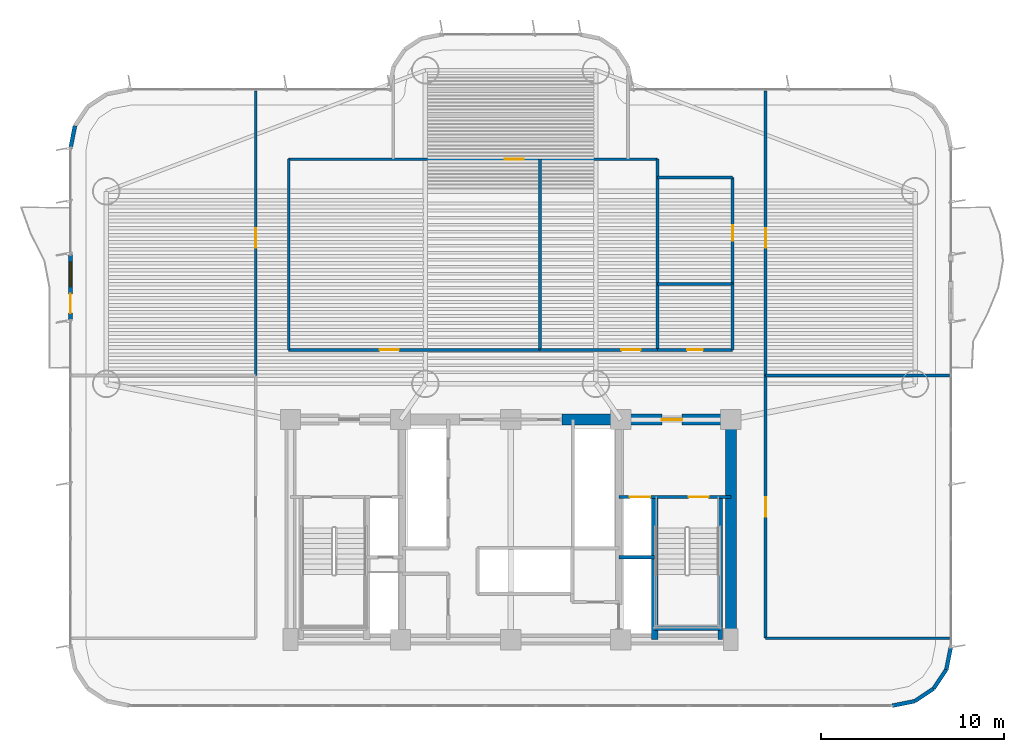
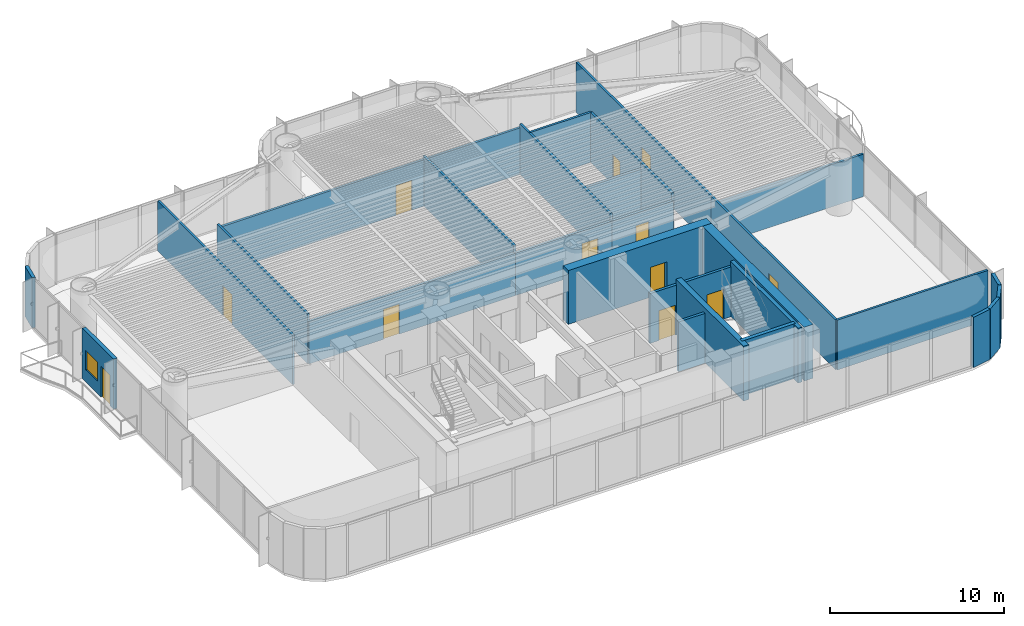
# One storey, part 11 of 16: 29 walls, 12 doors, 1 window, 13 openings.
"""IFC4 building model written with IfcOpenShell, lengths in metres."""

import ifcopenshell
import ifcopenshell.guid

model = None  # the IFC model being written
_history = None  # IfcOwnerHistory: only IFC2X3 demands one
_inside = {}  # id of a spatial element -> (the spatial element, [elements in it])
_under = {}  # id of a project, library or spatial element -> (it, [spatial elements below it])
_declared = {}  # id of a project -> (the project, [libraries it declares])
_typed = {}  # id of a type object -> (the type object, [elements of that type])
_made_of = {}  # id of a material, layer set ... -> (it, [elements and type objects made of it])


def new_model(schema):
    """Start an empty IFC model of exactly this schema.

    Asked for "IFC4X3", IfcOpenShell would pick the latest addendum, in which some entities
    have other attributes; the version numbers below select the first issue.
    IFC2X3 requires an IfcOwnerHistory on every rooted entity: one is made here for all.
    """
    global model, _history
    if schema == "IFC4X3":
        model = ifcopenshell.file(schema_version=(4, 3, 0, 0))
    else:
        model = ifcopenshell.file(schema=schema)
    _inside.clear()
    _under.clear()
    _declared.clear()
    _typed.clear()
    _made_of.clear()
    _history = None
    if model.schema == "IFC2X3":
        org = make("IfcOrganization", Name="unknown")
        user = make(
            "IfcPersonAndOrganization",
            ThePerson=make("IfcPerson", FamilyName="unknown"),
            TheOrganization=org,
        )
        app = make(
            "IfcApplication",
            ApplicationDeveloper=org,
            Version="unknown",
            ApplicationFullName="unknown",
            ApplicationIdentifier="unknown",
        )
        _history = make(
            "IfcOwnerHistory",
            OwningUser=user,
            OwningApplication=app,
            ChangeAction="ADDED",
            CreationDate=0,
        )
    return model


def make(cls, **values):
    """One entity of the class cls with the attributes given. An attribute that is None is left unset."""
    return model.create_entity(
        cls, **{name: value for name, value in values.items() if value is not None}
    )


def rooted(cls, **values):
    """An entity with a GlobalId (a new one), such as an element, a storey or a relation."""
    return make(cls, GlobalId=ifcopenshell.guid.new(), OwnerHistory=_history, **values)


def si_unit(unit_type, name, prefix=None):
    """IfcSIUnit, for example si_unit("LENGTHUNIT", "METRE", prefix="MILLI")."""
    return make("IfcSIUnit", UnitType=unit_type, Prefix=prefix, Name=name)


def assignment(units):
    """IfcUnitAssignment: the units of a project."""
    return None if units is None else make("IfcUnitAssignment", Units=units)


def point(xyz):
    """IfcCartesianPoint."""
    return None if xyz is None else make("IfcCartesianPoint", Coordinates=xyz)


def direction(xyz):
    """IfcDirection."""
    return None if xyz is None else make("IfcDirection", DirectionRatios=xyz)


def frame(location, z_axis=None, x_axis=None):
    """IfcAxis2Placement3D, a coordinate frame: its origin and axes. An axis left out is left unset."""
    return make(
        "IfcAxis2Placement3D",
        Location=point(location),
        Axis=direction(z_axis),
        RefDirection=direction(x_axis),
    )


def frame_2d(location, x_axis=None):
    """IfcAxis2Placement2D, a coordinate frame in the plane: its origin and x axis."""
    return make(
        "IfcAxis2Placement2D", Location=point(location), RefDirection=direction(x_axis)
    )


def origin():
    """The frame at (0, 0, 0) with its axes left unset."""
    return frame((0.0, 0.0, 0.0))


def origin_2d():
    """The frame at (0, 0) in the plane with its x axis left unset."""
    return frame_2d((0.0, 0.0))


def place(relative_to, where):
    """IfcLocalPlacement: puts the frame where relative to a parent placement (None: the world)."""
    return make(
        "IfcLocalPlacement", PlacementRelTo=relative_to, RelativePlacement=where
    )


def context(
    kind, dimensions, precision=None, world=None, true_north=None, identifier=None
):
    """IfcGeometricRepresentationContext, for example the 3D "Model" context."""
    return make(
        "IfcGeometricRepresentationContext",
        ContextIdentifier=identifier,
        ContextType=kind,
        CoordinateSpaceDimension=dimensions,
        Precision=precision,
        WorldCoordinateSystem=world,
        TrueNorth=true_north,
    )


def subcontext(parent, identifier, kind, view, scale=None):
    """IfcGeometricRepresentationSubContext, for example "Body" below "Model"."""
    return make(
        "IfcGeometricRepresentationSubContext",
        ContextIdentifier=identifier,
        ContextType=kind,
        ParentContext=parent,
        TargetScale=scale,
        TargetView=view,
    )


def project(units=None, contexts=None):
    """IfcProject with its units and contexts."""
    return rooted(
        "IfcProject",
        Name="project",
        RepresentationContexts=contexts,
        UnitsInContext=assignment(units),
    )


def spatial(cls, under=None, at=None, **own):
    """A site, building, storey or space (cls), placed at a placement, below another one or the project."""
    s = rooted(cls, ObjectPlacement=at, **own)
    if under is not None:
        _under.setdefault(under.id(), (under, []))[1].append(s)
    return s


def profile(cls, at=None, kind="AREA", **sizes):
    """A parametric profile (cls). Its sizes go by their IFC names, for example OverallWidth=200.0."""
    return make(cls, ProfileType=kind, Position=at, **sizes)


def rectangle(**sizes):
    """IfcRectangleProfileDef."""
    return profile("IfcRectangleProfileDef", **sizes)


def extrude(swept, where, along, depth):
    """IfcExtrudedAreaSolid: the profile swept, set in the frame where, extruded along a direction by depth."""
    return make(
        "IfcExtrudedAreaSolid",
        SweptArea=swept,
        Position=where,
        ExtrudedDirection=direction(along),
        Depth=depth,
    )


def shape(context_of_items, identifier, shape_type, items):
    """IfcShapeRepresentation: the items that make up one representation, for example the "Body"."""
    return make(
        "IfcShapeRepresentation",
        ContextOfItems=context_of_items,
        RepresentationIdentifier=identifier,
        RepresentationType=shape_type,
        Items=items,
    )


def source(mapping_origin, context_of_items, identifier, shape_type, items):
    """IfcRepresentationMap: a shape defined once, which mapped items show again and again."""
    return make(
        "IfcRepresentationMap",
        MappingOrigin=mapping_origin,
        MappedRepresentation=shape(context_of_items, identifier, shape_type, items),
    )


def transform(
    local_origin,
    x_axis=None,
    y_axis=None,
    z_axis=None,
    scale=None,
    scale2=None,
    scale3=None,
    uniform=True,
):
    """IfcCartesianTransformationOperator3D, or its non-uniform kind. x_axis, y_axis, z_axis: its Axis1, 2, 3."""
    if uniform:
        return make(
            "IfcCartesianTransformationOperator3D",
            Axis1=direction(x_axis),
            Axis2=direction(y_axis),
            LocalOrigin=point(local_origin),
            Scale=scale,
            Axis3=direction(z_axis),
        )
    return make(
        "IfcCartesianTransformationOperator3DnonUniform",
        Axis1=direction(x_axis),
        Axis2=direction(y_axis),
        LocalOrigin=point(local_origin),
        Scale=scale,
        Axis3=direction(z_axis),
        Scale2=scale2,
        Scale3=scale3,
    )


def mapped(mapping_source, mapping_target):
    """IfcMappedItem: shows the shape of a source again, moved by a transform."""
    return make(
        "IfcMappedItem", MappingSource=mapping_source, MappingTarget=mapping_target
    )


def material(Name=None, Category=None):
    """IfcMaterial."""
    return make("IfcMaterial", Name=Name, Category=Category)


def layer(
    of_material, thickness, ventilated=None, Name=None, Category=None, Priority=None
):
    """IfcMaterialLayer: one layer of a wall or slab, of a material (None: an air gap)."""
    return make(
        "IfcMaterialLayer",
        Material=of_material,
        LayerThickness=thickness,
        IsVentilated=ventilated,
        Name=Name,
        Category=Category,
        Priority=Priority,
    )


def layer_set(layers, Name=None):
    """IfcMaterialLayerSet."""
    return make("IfcMaterialLayerSet", MaterialLayers=layers, LayerSetName=Name)


def made_of(thing, what):
    """Note that an element or type object is made of a material, layer set ...; save() writes the relation."""
    if what is not None:
        _made_of.setdefault(what.id(), (what, []))[1].append(thing)
    return thing


def type_object(cls, material=None, **own):
    """A type object (cls), such as IfcWallType, which elements share."""
    return made_of(rooted(cls, **own), material)


def element(
    cls,
    number,
    at=None,
    inside=None,
    cuts=None,
    type_object=None,
    material=None,
    context=None,
    identifier="Body",
    shape_type=None,
    held_by="IfcProductDefinitionShape",
    body=None,
    shapes=None,
    **own,
):
    """One element of the class cls, such as IfcWall. Its Tag is "e" and its number.

    at: its placement. inside: the storey or other place that contains it. cuts: it is an
    opening in that element (IfcRelVoidsElement). A single representation is given by context,
    identifier, shape_type and body (its items); several are given by shapes. held_by: the class
    of the entity that holds the representations. save() writes the other relations.
    """
    e = rooted(cls, Tag="e%d" % number, ObjectPlacement=at, **own)
    if body is not None:
        shapes = [shape(context, identifier, shape_type, body)]
    if shapes is not None:
        e.Representation = make(held_by, Representations=shapes)
    if inside is not None:
        _inside.setdefault(inside.id(), (inside, []))[1].append(e)
    if cuts is not None:
        rooted(
            "IfcRelVoidsElement", RelatingBuildingElement=cuts, RelatedOpeningElement=e
        )
    if type_object is not None:
        _typed.setdefault(type_object.id(), (type_object, []))[1].append(e)
    return made_of(e, material)


def fill(opening, filler):
    """IfcRelFillsElement: the door or window that sits in an opening."""
    return rooted(
        "IfcRelFillsElement",
        RelatingOpeningElement=opening,
        RelatedBuildingElement=filler,
    )


def aggregate(whole, parts):
    """IfcRelAggregates: a whole, such as a stair, and the parts it consists of."""
    return rooted("IfcRelAggregates", RelatingObject=whole, RelatedObjects=parts)


def save(model, path):
    """Write the relations noted so far, then the file.

    IfcRelAggregates (storeys below a building ...), IfcRelContainedInSpatialStructure (elements
    in a storey), IfcRelDefinesByType, IfcRelAssociatesMaterial and IfcRelDeclares: one each for
    every whole, place, type object, material and project.
    """
    for whole, parts in _under.values():
        aggregate(whole, parts)
    for where, things in _inside.values():
        rooted(
            "IfcRelContainedInSpatialStructure",
            RelatedElements=things,
            RelatingStructure=where,
        )
    for kind, things in _typed.values():
        rooted("IfcRelDefinesByType", RelatedObjects=things, RelatingType=kind)
    for what, things in _made_of.values():
        rooted("IfcRelAssociatesMaterial", RelatedObjects=things, RelatingMaterial=what)
    for by, libraries in _declared.values():
        rooted("IfcRelDeclares", RelatingContext=by, RelatedDefinitions=libraries)
    model.write(path)


model = new_model("IFC4")

# Units and contexts
model_context = context("Model", 3, precision=1e-05, world=origin(), true_north=direction((0.0, 1.0)))
body_context = subcontext(model_context, "Body", "Model", "MODEL_VIEW")
ifc_project = project(units=[si_unit("LENGTHUNIT", "METRE"), si_unit("AREAUNIT", "SQUARE_METRE"), si_unit("VOLUMEUNIT", "CUBIC_METRE"), si_unit("PLANEANGLEUNIT", "RADIAN"), si_unit("MASSUNIT", "GRAM", prefix="KILO")], contexts=[model_context])

# Site, building, storey
site_placement = place(None, origin())
site = spatial("IfcSite", under=ifc_project, at=site_placement, CompositionType="ELEMENT")
building_placement = place(site_placement, origin())
building = spatial("IfcBuilding", under=site, at=building_placement, Name="Brelvock Crest Care Tower", CompositionType="ELEMENT")
storey_placement = place(building_placement, frame((0.0, 0.0, 57.239990234375)))
storey = spatial("IfcBuildingStorey", under=building, at=storey_placement, Name="L14", CompositionType="ELEMENT", Elevation=57.239990234375)

# Wall
ifc_material_1 = material(Name="Concrete S80 (80 MPa)", Category="concrete")
ifc_layer_1 = layer(ifc_material_1, 0.60009765625, Name="WL-CS1")
ifc_layer_set_1 = layer_set([ifc_layer_1], Name="Concrete S80 (80 MPa)")
wall_type_1 = type_object("IfcWallType", Name="WL-CS1", PredefinedType="SHEAR", material=ifc_layer_set_1)
wall_1_placement = place(storey_placement, frame((48.0, 18.0, 0.0), z_axis=(0.0, 0.0, 1.0), x_axis=(0.0, -1.0, 0.0)))
element("IfcWall", 1, at=wall_1_placement, inside=storey, type_object=wall_type_1, Name="L14 Core East Shear Wall", PredefinedType="SHEAR", context=body_context, shape_type="SweptSolid", body=[
    extrude(rectangle(XDim=12.0, YDim=0.60009765625, at=frame_2d((6.0, 0.0))), origin(), (0.0, 0.0, 1.0), 3.780029296875),
])

# Wall, opening, door
wall_2_placement = place(storey_placement, frame((38.800048828125, 18.0, 0.0), z_axis=(0.0, 0.0, 1.0), x_axis=(1.0, 0.0, 0.0)))
wall_2 = element("IfcWall", 2, at=wall_2_placement, inside=storey, type_object=wall_type_1, Name="L14 Core North-East Shear Wall", PredefinedType="SHEAR", context=body_context, shape_type="SweptSolid", body=[
    extrude(rectangle(XDim=9.5, YDim=0.60009765625, at=frame_2d((4.75, 0.0))), origin(), (0.0, 0.0, 1.0), 3.780029296875),
])
opening_1_placement = place(wall_2_placement, frame((5.449951171875, 0.0, 0.0)))
opening_1 = element("IfcOpeningElement", 3, at=opening_1_placement, cuts=wall_2, Name="Opening FD-1", PredefinedType="OPENING", context=body_context, shape_type="SweptSolid", body=[
    extrude(rectangle(XDim=1.10009765625, YDim=2.10009765625, at=origin_2d()), frame((0.550048828125, 0.31005859375, 1.050048828125), z_axis=(0.0, -1.0, 0.0), x_axis=(1.0, 0.0, 0.0)), (0.0, 0.0, 1.0), 0.6201171875),
])
ifc_material_2 = material(Name="Steel Grade 350", Category="steel")
door_type_1 = type_object("IfcDoorType", Name="DR-FFL1", OperationType="NOTDEFINED", PredefinedType="DOOR", material=ifc_material_2)
shared_shape_1 = source(origin(), body_context, "Body", "SweptSolid", [
    extrude(rectangle(XDim=1.10009765625, YDim=2.10009765625, at=origin_2d()), frame((0.550048828125, 0.02490234375, 1.050048828125), z_axis=(0.0, -1.0, 0.0), x_axis=(1.0, 0.0, 0.0)), (0.0, 0.0, 1.0), 0.050048828125),
])
door_1_placement = place(opening_1_placement, origin())
door_1 = element("IfcDoor", 4, at=door_1_placement, inside=storey, type_object=door_type_1, Name="L14 Firefighting Lobby FFL-2 Exit Door", OperationType="SINGLE_SWING_RIGHT", OverallHeight=2.10009765625, OverallWidth=1.10009765625, PredefinedType="DOOR", context=body_context, shape_type="MappedRepresentation", body=[
    mapped(shared_shape_1, transform((0.0, 0.0, 0.0), x_axis=(1.0, 0.0, 0.0), y_axis=(0.0, 1.0, 0.0), z_axis=(0.0, 0.0, 1.0), scale=1.0)),
])
fill(opening_1, door_1)

# Walls
ifc_layer_2 = layer(ifc_material_1, 0.35009765625, Name="WL-CS5")
ifc_layer_set_2 = layer_set([ifc_layer_2], Name="Concrete S80 (80 MPa)")
wall_type_2 = type_object("IfcWallType", Name="WL-CS5", PredefinedType="SHEAR", material=ifc_layer_set_2)
wall_3_placement = place(storey_placement, frame((43.85009765625, 6.0, 0.0), z_axis=(0.0, 0.0, 1.0), x_axis=(0.0, 1.0, 0.0)))
element("IfcWall", 5, at=wall_3_placement, inside=storey, type_object=wall_type_2, Name="L14 Core Stair ST-2 West Shear Wall", PredefinedType="SHEAR", context=body_context, shape_type="SweptSolid", body=[
    extrude(rectangle(XDim=7.780029296875, YDim=0.35009765625, at=frame_2d((3.89013671875, 0.0))), origin(), (0.0, 0.0, 1.0), 3.85009765625),
])
ifc_layer_3 = layer(ifc_material_1, 0.25, Name="WL-CS6")
ifc_layer_set_3 = layer_set([ifc_layer_3], Name="Concrete S80 (80 MPa)")
wall_type_3 = type_object("IfcWallType", Name="WL-CS6", PredefinedType="SHEAR", material=ifc_layer_set_3)
wall_4_placement = place(storey_placement, frame((47.419921875, 6.0, 0.0), z_axis=(0.0, 0.0, 1.0), x_axis=(0.0, 1.0, 0.0)))
element("IfcWall", 6, at=wall_4_placement, inside=storey, type_object=wall_type_3, Name="L14 Core Stair ST-2 East Shear Wall", PredefinedType="SHEAR", context=body_context, shape_type="SweptSolid", body=[
    extrude(rectangle(XDim=7.780029296875, YDim=0.25, at=frame_2d((3.89013671875, 0.0))), origin(), (0.0, 0.0, 1.0), 3.85009765625),
])
wall_5_placement = place(storey_placement, frame((43.85009765625, 6.6201171875, 0.0), z_axis=(0.0, 0.0, 1.0), x_axis=(1.0, 0.0, 0.0)))
element("IfcWall", 7, at=wall_5_placement, inside=storey, type_object=wall_type_3, Name="L14 Core Stair ST-2 South Shear Wall", PredefinedType="SHEAR", context=body_context, shape_type="SweptSolid", body=[
    extrude(rectangle(XDim=3.56982421875, YDim=0.25, at=frame_2d((1.784912109375, 0.0))), origin(), (0.0, 0.0, 1.0), 3.85009765625),
])

# Wall, openings, door, window
ifc_material_3 = material(Name="Precast concrete N40 (40 MPa)", Category="concrete")
ifc_layer_4 = layer(ifc_material_3, 0.239990234375, Name="WL-EX1")
ifc_layer_set_4 = layer_set([ifc_layer_4], Name="Precast concrete N40 (40 MPa)")
wall_type_4 = type_object("IfcWallType", Name="WL-EX1", PredefinedType="SOLIDWALL", material=ifc_layer_set_4)
wall_6_placement = place(storey_placement, frame((12.0, 23.39990234375, 0.0), z_axis=(0.0, 0.0, 1.0), x_axis=(0.0, 1.0, 0.0)))
wall_6 = element("IfcWall", 8, at=wall_6_placement, inside=storey, type_object=wall_type_4, Name="L14 Exterior Spandrel Wall WL-BAL-L14-W", PredefinedType="SOLIDWALL", context=body_context, shape_type="SweptSolid", body=[
    extrude(rectangle(XDim=3.60009765625, YDim=0.239990234375, at=frame_2d((1.800048828125, 0.0))), origin(), (0.0, 0.0, 1.0), 3.530029296875),
])
opening_2_placement = place(wall_6_placement, frame((0.39990234375, 0.0, 0.0)))
opening_2 = element("IfcOpeningElement", 9, at=opening_2_placement, cuts=wall_6, Name="Opening BD-1", PredefinedType="OPENING", context=body_context, shape_type="SweptSolid", body=[
    extrude(rectangle(XDim=1.050048828125, YDim=2.14990234375, at=origin_2d()), frame((0.52490234375, 0.1298828125, 1.074951171875), z_axis=(0.0, -1.0, 0.0), x_axis=(1.0, 0.0, 0.0)), (0.0, 0.0, 1.0), 0.260009765625),
])
opening_3_placement = place(wall_6_placement, frame((1.85009765625, 0.0, 0.85009765625)))
opening_3 = element("IfcOpeningElement", 10, at=opening_3_placement, cuts=wall_6, Name="Opening W-01", PredefinedType="OPENING", context=body_context, shape_type="SweptSolid", body=[
    extrude(rectangle(XDim=1.35009765625, YDim=1.35009765625, at=origin_2d()), frame((0.675048828125, 0.1298828125, 0.675048828125), z_axis=(0.0, -1.0, 0.0), x_axis=(1.0, 0.0, 0.0)), (0.0, 0.0, 1.0), 0.260009765625),
])
ifc_material_4 = material(Name="Dark Glass Double Glazed Low-E", Category="glass")
door_type_2 = type_object("IfcDoorType", Name="DR-BAL1", OperationType="NOTDEFINED", PredefinedType="DOOR", material=ifc_material_4)
shared_shape_2 = source(origin(), body_context, "Body", "SweptSolid", [
    extrude(rectangle(XDim=1.050048828125, YDim=2.14990234375, at=origin_2d()), frame((0.52490234375, 0.02490234375, 1.074951171875), z_axis=(0.0, -1.0, 0.0), x_axis=(1.0, 0.0, 0.0)), (0.0, 0.0, 1.0), 0.050048828125),
])
door_2_placement = place(opening_2_placement, origin())
door_2 = element("IfcDoor", 11, at=door_2_placement, inside=storey, type_object=door_type_2, Name="L14 W Wave Balcony Glazed Door", OperationType="SINGLE_SWING_LEFT", OverallHeight=2.14990234375, OverallWidth=1.050048828125, PredefinedType="DOOR", context=body_context, shape_type="MappedRepresentation", body=[
    mapped(shared_shape_2, transform((0.0, 0.0, 0.0), x_axis=(1.0, 0.0, 0.0), y_axis=(0.0, 1.0, 0.0), z_axis=(0.0, 0.0, 1.0), scale=1.0)),
])
fill(opening_2, door_2)
window_type = type_object("IfcWindowType", Name="WN-EX1", PartitioningType="SINGLE_PANEL", PredefinedType="WINDOW", material=ifc_material_4)
shared_shape_3 = source(origin(), body_context, "Body", "SweptSolid", [
    extrude(rectangle(XDim=1.35009765625, YDim=1.35009765625, at=origin_2d()), frame((0.675048828125, 0.030029296875, 0.675048828125), z_axis=(0.0, -1.0, 0.0), x_axis=(1.0, 0.0, 0.0)), (0.0, 0.0, 1.0), 0.06005859375),
])
window_placement = place(opening_3_placement, origin())
window = element("IfcWindow", 12, at=window_placement, inside=storey, type_object=window_type, Name="L14 W Suite Casement Window", OverallHeight=1.35009765625, OverallWidth=1.35009765625, PartitioningType="SINGLE_PANEL", PredefinedType="WINDOW", context=body_context, shape_type="MappedRepresentation", body=[
    mapped(shared_shape_3, transform((0.0, 0.0, 0.0), x_axis=(1.0, 0.0, 0.0), y_axis=(0.0, 1.0, 0.0), z_axis=(0.0, 0.0, 1.0), scale=1.0)),
])
fill(opening_3, window)

# Walls
ifc_layer_5 = layer(ifc_material_3, 0.215087890625, Name="WL-EX2")
ifc_layer_set_5 = layer_set([ifc_layer_5], Name="Precast concrete N40 (40 MPa)")
wall_type_5 = type_object("IfcWallType", Name="WL-EX2", PredefinedType="SOLIDWALL", material=ifc_layer_set_5)
for number, where, z_axis, x_axis, name in (
    (13, (60.0, 5.60009765625, 0.0), (0.0, 0.0, 1.0), (-0.195138390419, -0.980775717779, 0.0), "L14 Rounded Corner Wall 04"),
    (14, (59.75634765625, 4.37548828125, 0.0), (0.0, 0.0, 1.0), (-0.555557312883, -0.831478245117, 0.0), "L14 Rounded Corner Wall 05"),
    (15, (59.062744140625, 3.33740234375, 0.0), (0.0, 0.0, 1.0), (-0.831387912822, -0.555692485475, 0.0), "L14 Rounded Corner Wall 06"),
    (16, (58.024658203125, 2.6435546875, 0.0), (0.0, 0.0, 1.0), (-0.980775717779, -0.195138390419, 0.0), "L14 Rounded Corner Wall 07"),
    (17, (12.0, 32.800048828125, 0.0), (0.0, 0.0, 1.0), (0.195138390419, 0.980775717779, 0.0), "L14 Rounded Corner Wall 14"),
):
    element("IfcWall", number, at=place(storey_placement, frame(where, z_axis=z_axis, x_axis=x_axis)), inside=storey, type_object=wall_type_5, Name=name, PredefinedType="SOLIDWALL", context=body_context, shape_type="SweptSolid", body=[
        extrude(rectangle(XDim=1.24853515625, YDim=0.215087890625, at=frame_2d((0.624267578125, 0.0))), origin(), (0.0, 0.0, 1.0), 3.530029296875),
    ])
ifc_material_5 = material(Name="Masonry Blockwork Acoustic Partition", Category="masonry")
ifc_layer_6 = layer(ifc_material_5, 0.14990234375, Name="WL-INT1")
ifc_layer_set_6 = layer_set([ifc_layer_6], Name="Masonry Blockwork Acoustic Partition")
wall_type_6 = type_object("IfcWallType", Name="WL-INT1", PredefinedType="PARTITIONING", material=ifc_layer_set_6)
wall_7_placement = place(storey_placement, frame((49.89990234375, 6.080078125, 0.0), z_axis=(0.0, 0.0, 1.0), x_axis=(1.0, 0.0, 0.0)))
element("IfcWall", 18, at=wall_7_placement, inside=storey, type_object=wall_type_6, Name="L14 Interior Wall WL-BX-L14-ES1-S", PredefinedType="PARTITIONING", context=body_context, shape_type="SweptSolid", body=[
    extrude(rectangle(XDim=10.02001953125, YDim=0.14990234375, at=frame_2d((5.010009765625, 0.0))), origin(), (0.0, 0.0, 1.0), 3.5),
])
wall_8_placement = place(storey_placement, frame((49.89990234375, 20.39990234375, 0.0), z_axis=(0.0, 0.0, 1.0), x_axis=(1.0, 0.0, 0.0)))
element("IfcWall", 19, at=wall_8_placement, inside=storey, type_object=wall_type_6, Name="L14 Interior Wall WL-BX-L14-ES1-N", PredefinedType="PARTITIONING", context=body_context, shape_type="SweptSolid", body=[
    extrude(rectangle(XDim=10.02001953125, YDim=0.14990234375, at=frame_2d((5.010009765625, 0.0))), origin(), (0.0, 0.0, 1.0), 2.98193359375),
])

# Wall, opening, door
wall_9_placement = place(storey_placement, frame((23.89990234375, 21.800048828125, 0.0), z_axis=(0.0, 0.0, 1.0), x_axis=(1.0, 0.0, 0.0)))
wall_9 = element("IfcWall", 20, at=wall_9_placement, inside=storey, type_object=wall_type_6, Name="L14 Interior Wall WL-RM-L14-CNW", PredefinedType="PARTITIONING", context=body_context, shape_type="SweptSolid", body=[
    extrude(rectangle(XDim=13.7001953125, YDim=0.14990234375, at=frame_2d((6.85009765625, 0.0))), origin(), (0.0, 0.0, 1.0), 2.98193359375),
])
opening_4_placement = place(wall_9_placement, frame((4.955078125, 0.0, 0.0)))
opening_4 = element("IfcOpeningElement", 21, at=opening_4_placement, cuts=wall_9, Name="Opening CLD-1", PredefinedType="OPENING", context=body_context, shape_type="SweptSolid", body=[
    extrude(rectangle(XDim=1.050048828125, YDim=2.10009765625, at=origin_2d()), frame((0.52490234375, 0.0849609375, 1.050048828125), z_axis=(0.0, -1.0, 0.0), x_axis=(1.0, 0.0, 0.0)), (0.0, 0.0, 1.0), 0.169921875),
])
ifc_material_6 = material(Name="Engineered Hardwood Timber", Category="wood")
door_type_3 = type_object("IfcDoorType", Name="DR-CLN1", OperationType="NOTDEFINED", PredefinedType="DOOR", material=ifc_material_6)
shared_shape_4 = source(origin(), body_context, "Body", "SweptSolid", [
    extrude(rectangle(XDim=1.050048828125, YDim=2.10009765625, at=origin_2d()), frame((0.52490234375, 0.02490234375, 1.050048828125), z_axis=(0.0, -1.0, 0.0), x_axis=(1.0, 0.0, 0.0)), (0.0, 0.0, 1.0), 0.050048828125),
])
door_3_placement = place(opening_4_placement, origin())
door_3 = element("IfcDoor", 22, at=door_3_placement, inside=storey, type_object=door_type_3, Name="L14 Communal Dining Conservatory Door CNW", OperationType="SINGLE_SWING_LEFT", OverallHeight=2.10009765625, OverallWidth=1.050048828125, PredefinedType="DOOR", context=body_context, shape_type="MappedRepresentation", body=[
    mapped(shared_shape_4, transform((0.0, 0.0, 0.0), x_axis=(1.0, 0.0, 0.0), y_axis=(0.0, 1.0, 0.0), z_axis=(0.0, 0.0, 1.0), scale=1.0)),
])
fill(opening_4, door_3)

wall_10_placement = place(storey_placement, frame((37.60009765625, 21.800048828125, 0.0), z_axis=(0.0, 0.0, 1.0), x_axis=(1.0, 0.0, 0.0)))
wall_10 = element("IfcWall", 23, at=wall_10_placement, inside=storey, type_object=wall_type_6, Name="L14 Interior Wall WL-RM-L14-CNE", PredefinedType="PARTITIONING", context=body_context, shape_type="SweptSolid", body=[
    extrude(rectangle(XDim=6.39990234375, YDim=0.14990234375, at=frame_2d((3.199951171875, 0.0))), origin(), (0.0, 0.0, 1.0), 2.98193359375),
])
opening_5_placement = place(wall_10_placement, frame((4.43505859375, 0.0, 0.0)))
opening_5 = element("IfcOpeningElement", 24, at=opening_5_placement, cuts=wall_10, Name="Opening CLD-1", PredefinedType="OPENING", context=body_context, shape_type="SweptSolid", body=[
    extrude(rectangle(XDim=1.050048828125, YDim=2.10009765625, at=origin_2d()), frame((0.52490234375, 0.0849609375, 1.050048828125), z_axis=(0.0, -1.0, 0.0), x_axis=(1.0, 0.0, 0.0)), (0.0, 0.0, 1.0), 0.169921875),
])
door_4_placement = place(opening_5_placement, origin())
door_4 = element("IfcDoor", 25, at=door_4_placement, inside=storey, type_object=door_type_3, Name="L14 Geriatric Nurse Consultation Hub Door CNE", OperationType="SINGLE_SWING_LEFT", OverallHeight=2.10009765625, OverallWidth=1.050048828125, PredefinedType="DOOR", context=body_context, shape_type="MappedRepresentation", body=[
    mapped(shared_shape_4, transform((0.0, 0.0, 0.0), x_axis=(1.0, 0.0, 0.0), y_axis=(0.0, 1.0, 0.0), z_axis=(0.0, 0.0, 1.0), scale=1.0)),
])
fill(opening_5, door_4)

# Wall
wall_11_placement = place(storey_placement, frame((44.0, 31.199951171875, 0.0), z_axis=(0.0, 0.0, 1.0), x_axis=(1.0, 0.0, 0.0)))
element("IfcWall", 26, at=wall_11_placement, inside=storey, type_object=wall_type_6, Name="L14 Interior Wall WL-BX-L14-CKIT-N", PredefinedType="PARTITIONING", context=body_context, shape_type="SweptSolid", body=[
    extrude(rectangle(XDim=4.10009765625, YDim=0.14990234375, at=frame_2d((2.050048828125, 0.0))), origin(), (0.0, 0.0, 1.0), 3.5),
])

# Wall, opening, door
wall_12_placement = place(storey_placement, frame((23.89990234375, 32.199951171875, 0.0), z_axis=(0.0, 0.0, 1.0), x_axis=(1.0, 0.0, 0.0)))
wall_12 = element("IfcWall", 27, at=wall_12_placement, inside=storey, type_object=wall_type_6, Name="L14 Interior Wall WL-RM-L14-NHUB", PredefinedType="PARTITIONING", context=body_context, shape_type="SweptSolid", body=[
    extrude(rectangle(XDim=20.10009765625, YDim=0.14990234375, at=frame_2d((10.050048828125, 0.0))), origin(), (0.0, 0.0, 1.0), 3.259033203125),
])
opening_6_placement = place(wall_12_placement, frame((11.77490234375, 0.0, 0.0)))
opening_6 = element("IfcOpeningElement", 28, at=opening_6_placement, cuts=wall_12, Name="Opening CLD-1", PredefinedType="OPENING", context=body_context, shape_type="SweptSolid", body=[
    extrude(rectangle(XDim=1.050048828125, YDim=2.10009765625, at=origin_2d()), frame((0.52490234375, 0.0849609375, 1.050048828125), z_axis=(0.0, -1.0, 0.0), x_axis=(1.0, 0.0, 0.0)), (0.0, 0.0, 1.0), 0.169921875),
])
door_5_placement = place(opening_6_placement, origin())
door_5 = element("IfcDoor", 29, at=door_5_placement, inside=storey, type_object=door_type_3, Name="L14 Harbour Wintergarden Lounge Door NHUB", OperationType="SINGLE_SWING_LEFT", OverallHeight=2.10009765625, OverallWidth=1.050048828125, PredefinedType="DOOR", context=body_context, shape_type="MappedRepresentation", body=[
    mapped(shared_shape_4, transform((0.0, 0.0, 0.0), x_axis=(1.0, 0.0, 0.0), y_axis=(0.0, 1.0, 0.0), z_axis=(0.0, 0.0, 1.0), scale=1.0)),
])
fill(opening_6, door_5)

wall_13_placement = place(storey_placement, frame((22.10009765625, 20.39990234375, 0.0), z_axis=(0.0, 0.0, 1.0), x_axis=(0.0, 1.0, 0.0)))
wall_13 = element("IfcWall", 30, at=wall_13_placement, inside=storey, type_object=wall_type_6, Name="L14 Interior Wall WL-RM-L14-WS2", PredefinedType="PARTITIONING", context=body_context, shape_type="SweptSolid", body=[
    extrude(rectangle(XDim=15.520751953125, YDim=0.14990234375, at=frame_2d((7.76025390625, 0.0))), origin(), (0.0, 0.0, 1.0), 3.5),
])
opening_7_placement = place(wall_13_placement, frame((6.97509765625, 0.0, 0.0)))
opening_7 = element("IfcOpeningElement", 31, at=opening_7_placement, cuts=wall_13, Name="Opening CLD-1", PredefinedType="OPENING", context=body_context, shape_type="SweptSolid", body=[
    extrude(rectangle(XDim=1.050048828125, YDim=2.10009765625, at=origin_2d()), frame((0.52490234375, 0.0849609375, 1.050048828125), z_axis=(0.0, -1.0, 0.0), x_axis=(1.0, 0.0, 0.0)), (0.0, 0.0, 1.0), 0.169921875),
])
door_6_placement = place(opening_7_placement, origin())
door_6 = element("IfcDoor", 32, at=door_6_placement, inside=storey, type_object=door_type_3, Name="L14 Resident Cinema and Music Salon Door WS2", OperationType="SINGLE_SWING_LEFT", OverallHeight=2.10009765625, OverallWidth=1.050048828125, PredefinedType="DOOR", context=body_context, shape_type="MappedRepresentation", body=[
    mapped(shared_shape_4, transform((0.0, 0.0, 0.0), x_axis=(1.0, 0.0, 0.0), y_axis=(0.0, 1.0, 0.0), z_axis=(0.0, 0.0, 1.0), scale=1.0)),
])
fill(opening_7, door_6)

# Walls
for number, where, z_axis, x_axis, name in (
    (33, (23.89990234375, 21.800048828125, 0.0), (0.0, 0.0, 1.0), (0.0, 1.0, 0.0), "L14 Interior Wall WL-BX-L14-CNW-W"),
    (34, (37.60009765625, 21.800048828125, 0.0), (0.0, 0.0, 1.0), (0.0, 1.0, 0.0), "L14 Interior Wall WL-BX-L14-CNE-W"),
):
    element("IfcWall", number, at=place(storey_placement, frame(where, z_axis=z_axis, x_axis=x_axis)), inside=storey, type_object=wall_type_6, Name=name, PredefinedType="PARTITIONING", context=body_context, shape_type="SweptSolid", body=[
        extrude(rectangle(XDim=10.39990234375, YDim=0.14990234375, at=frame_2d((5.199951171875, 0.0))), origin(), (0.0, 0.0, 1.0), 3.5),
    ])

# Wall, opening, door
wall_14_placement = place(storey_placement, frame((48.10009765625, 25.39990234375, 0.0), z_axis=(0.0, 0.0, 1.0), x_axis=(0.0, 1.0, 0.0)))
wall_14 = element("IfcWall", 35, at=wall_14_placement, inside=storey, type_object=wall_type_6, Name="L14 Interior Wall WL-RM-L14-CKIT", PredefinedType="PARTITIONING", context=body_context, shape_type="SweptSolid", body=[
    extrude(rectangle(XDim=5.800048828125, YDim=0.14990234375, at=frame_2d((2.89990234375, 0.0))), origin(), (0.0, 0.0, 1.0), 3.5),
])
opening_8_placement = place(wall_14_placement, frame((2.340087890625, 0.0, 0.0)))
opening_8 = element("IfcOpeningElement", 36, at=opening_8_placement, cuts=wall_14, Name="Opening ID-1", PredefinedType="OPENING", context=body_context, shape_type="SweptSolid", body=[
    extrude(rectangle(XDim=0.860107421875, YDim=2.10009765625, at=origin_2d()), frame((0.43017578125, 0.0849609375, 1.050048828125), z_axis=(0.0, -1.0, 0.0), x_axis=(1.0, 0.0, 0.0)), (0.0, 0.0, 1.0), 0.169921875),
])
door_type_4 = type_object("IfcDoorType", Name="DR-INT1", OperationType="NOTDEFINED", PredefinedType="DOOR", material=ifc_material_6)
shared_shape_5 = source(origin(), body_context, "Body", "SweptSolid", [
    extrude(rectangle(XDim=0.860107421875, YDim=2.10009765625, at=origin_2d()), frame((0.43017578125, 0.02490234375, 1.050048828125), z_axis=(0.0, -1.0, 0.0), x_axis=(1.0, 0.0, 0.0)), (0.0, 0.0, 1.0), 0.050048828125),
])
door_7_placement = place(opening_8_placement, origin())
door_7 = element("IfcDoor", 37, at=door_7_placement, inside=storey, type_object=door_type_4, Name="L14 Neighbourhood Pantry Kitchen Door CKIT", OperationType="SINGLE_SWING_LEFT", OverallHeight=2.10009765625, OverallWidth=0.860107421875, PredefinedType="DOOR", context=body_context, shape_type="MappedRepresentation", body=[
    mapped(shared_shape_5, transform((0.0, 0.0, 0.0), x_axis=(1.0, 0.0, 0.0), y_axis=(0.0, 1.0, 0.0), z_axis=(0.0, 0.0, 1.0), scale=1.0)),
])
fill(opening_8, door_7)

wall_15_placement = place(storey_placement, frame((49.89990234375, 6.080078125, 0.0), z_axis=(0.0, 0.0, 1.0), x_axis=(0.0, 1.0, 0.0)))
wall_15 = element("IfcWall", 38, at=wall_15_placement, inside=storey, type_object=wall_type_6, Name="L14 Interior Wall WL-RM-L14-ES1", PredefinedType="PARTITIONING", context=body_context, shape_type="SweptSolid", body=[
    extrude(rectangle(XDim=14.31982421875, YDim=0.14990234375, at=frame_2d((7.159912109375, 0.0))), origin(), (0.0, 0.0, 1.0), 3.5),
])
opening_9_placement = place(wall_15_placement, frame((6.635009765625, 0.0, 0.0)))
opening_9 = element("IfcOpeningElement", 39, at=opening_9_placement, cuts=wall_15, Name="Opening CLD-1", PredefinedType="OPENING", context=body_context, shape_type="SweptSolid", body=[
    extrude(rectangle(XDim=1.050048828125, YDim=2.10009765625, at=origin_2d()), frame((0.52490234375, 0.0849609375, 1.050048828125), z_axis=(0.0, -1.0, 0.0), x_axis=(1.0, 0.0, 0.0)), (0.0, 0.0, 1.0), 0.169921875),
])
door_8_placement = place(opening_9_placement, origin())
door_8 = element("IfcDoor", 40, at=door_8_placement, inside=storey, type_object=door_type_3, Name="L14 Quiet Reference Library Door ES1", OperationType="SINGLE_SWING_LEFT", OverallHeight=2.10009765625, OverallWidth=1.050048828125, PredefinedType="DOOR", context=body_context, shape_type="MappedRepresentation", body=[
    mapped(shared_shape_4, transform((0.0, 0.0, 0.0), x_axis=(1.0, 0.0, 0.0), y_axis=(0.0, 1.0, 0.0), z_axis=(0.0, 0.0, 1.0), scale=1.0)),
])
fill(opening_9, door_8)

wall_16_placement = place(storey_placement, frame((49.89990234375, 20.39990234375, 0.0), z_axis=(0.0, 0.0, 1.0), x_axis=(0.0, 1.0, 0.0)))
wall_16 = element("IfcWall", 41, at=wall_16_placement, inside=storey, type_object=wall_type_6, Name="L14 Interior Wall WL-RM-L14-ES2", PredefinedType="PARTITIONING", context=body_context, shape_type="SweptSolid", body=[
    extrude(rectangle(XDim=15.520263671875, YDim=0.14990234375, at=frame_2d((7.76025390625, 0.0))), origin(), (0.0, 0.0, 1.0), 3.5),
])
opening_10_placement = place(wall_16_placement, frame((6.97509765625, 0.0, 0.0)))
opening_10 = element("IfcOpeningElement", 42, at=opening_10_placement, cuts=wall_16, Name="Opening CLD-1", PredefinedType="OPENING", context=body_context, shape_type="SweptSolid", body=[
    extrude(rectangle(XDim=1.050048828125, YDim=2.10009765625, at=origin_2d()), frame((0.52490234375, 0.0849609375, 1.050048828125), z_axis=(0.0, -1.0, 0.0), x_axis=(1.0, 0.0, 0.0)), (0.0, 0.0, 1.0), 0.169921875),
])
door_9_placement = place(opening_10_placement, origin())
door_9 = element("IfcDoor", 43, at=door_9_placement, inside=storey, type_object=door_type_3, Name="L14 Bridge and Harbour Tea Lounge Door ES2", OperationType="SINGLE_SWING_LEFT", OverallHeight=2.10009765625, OverallWidth=1.050048828125, PredefinedType="DOOR", context=body_context, shape_type="MappedRepresentation", body=[
    mapped(shared_shape_4, transform((0.0, 0.0, 0.0), x_axis=(1.0, 0.0, 0.0), y_axis=(0.0, 1.0, 0.0), z_axis=(0.0, 0.0, 1.0), scale=1.0)),
])
fill(opening_10, door_9)

ifc_material_7 = material(Name="Gypsum Plasterboard Partition", Category="gypsum")
ifc_layer_7 = layer(ifc_material_7, 0.159912109375, Name="WL-PLM1")
ifc_layer_set_7 = layer_set([ifc_layer_7], Name="Gypsum Plasterboard Partition")
wall_type_7 = type_object("IfcWallType", Name="WL-PLM1", PredefinedType="PLUMBINGWALL", material=ifc_layer_set_7)
wall_17_placement = place(storey_placement, frame((44.0, 21.800048828125, 0.0), z_axis=(0.0, 0.0, 1.0), x_axis=(1.0, 0.0, 0.0)))
wall_17 = element("IfcWall", 44, at=wall_17_placement, inside=storey, type_object=wall_type_7, Name="L14 Interior Wall WL-RM-L14-CAWC", PredefinedType="PLUMBINGWALL", context=body_context, shape_type="SweptSolid", body=[
    extrude(rectangle(XDim=4.10009765625, YDim=0.159912109375, at=frame_2d((2.050048828125, 0.0))), origin(), (0.0, 0.0, 1.0), 2.98193359375),
])
opening_11_placement = place(wall_17_placement, frame((1.6201171875, 0.0, 0.0)))
opening_11 = element("IfcOpeningElement", 45, at=opening_11_placement, cuts=wall_17, Name="Opening WD-1", PredefinedType="OPENING", context=body_context, shape_type="SweptSolid", body=[
    extrude(rectangle(XDim=0.860107421875, YDim=2.10009765625, at=origin_2d()), frame((0.43017578125, 0.08984375, 1.050048828125), z_axis=(0.0, -1.0, 0.0), x_axis=(1.0, 0.0, 0.0)), (0.0, 0.0, 1.0), 0.179931640625),
])
door_type_5 = type_object("IfcDoorType", Name="DR-WC1", OperationType="NOTDEFINED", PredefinedType="DOOR", material=ifc_material_6)
shared_shape_6 = source(origin(), body_context, "Body", "SweptSolid", [
    extrude(rectangle(XDim=0.860107421875, YDim=2.10009765625, at=origin_2d()), frame((0.43017578125, 0.02490234375, 1.050048828125), z_axis=(0.0, -1.0, 0.0), x_axis=(1.0, 0.0, 0.0)), (0.0, 0.0, 1.0), 0.050048828125),
])
door_10_placement = place(opening_11_placement, origin())
door_10 = element("IfcDoor", 46, at=door_10_placement, inside=storey, type_object=door_type_5, Name="L14 Floor Accessible WC Door CAWC", OperationType="SINGLE_SWING_LEFT", OverallHeight=2.10009765625, OverallWidth=0.860107421875, PredefinedType="DOOR", context=body_context, shape_type="MappedRepresentation", body=[
    mapped(shared_shape_6, transform((0.0, 0.0, 0.0), x_axis=(1.0, 0.0, 0.0), y_axis=(0.0, 1.0, 0.0), z_axis=(0.0, 0.0, 1.0), scale=1.0)),
])
fill(opening_11, door_10)

# Walls
wall_18_placement = place(storey_placement, frame((44.0, 25.39990234375, 0.0), z_axis=(0.0, 0.0, 1.0), x_axis=(1.0, 0.0, 0.0)))
element("IfcWall", 47, at=wall_18_placement, inside=storey, type_object=wall_type_7, Name="L14 Interior Wall WL-BX-L14-CAWC-N", PredefinedType="PLUMBINGWALL", context=body_context, shape_type="SweptSolid", body=[
    extrude(rectangle(XDim=4.10009765625, YDim=0.159912109375, at=frame_2d((2.050048828125, 0.0))), origin(), (0.0, 0.0, 1.0), 3.054931640625),
])
wall_19_placement = place(storey_placement, frame((44.0, 21.800048828125, 0.0), z_axis=(0.0, 0.0, 1.0), x_axis=(0.0, 1.0, 0.0)))
element("IfcWall", 48, at=wall_19_placement, inside=storey, type_object=wall_type_7, Name="L14 Interior Wall WL-BX-L14-CNE-E", PredefinedType="PLUMBINGWALL", context=body_context, shape_type="SweptSolid", body=[
    extrude(rectangle(XDim=10.39990234375, YDim=0.159912109375, at=frame_2d((5.199951171875, 0.0))), origin(), (0.0, 0.0, 1.0), 3.5),
])
wall_20_placement = place(storey_placement, frame((48.10009765625, 21.800048828125, 0.0), z_axis=(0.0, 0.0, 1.0), x_axis=(0.0, 1.0, 0.0)))
element("IfcWall", 49, at=wall_20_placement, inside=storey, type_object=wall_type_7, Name="L14 Interior Wall WL-BX-L14-CAWC-E", PredefinedType="PLUMBINGWALL", context=body_context, shape_type="SweptSolid", body=[
    extrude(rectangle(XDim=3.599853515625, YDim=0.159912109375, at=frame_2d((1.7998046875, 0.0))), origin(), (0.0, 0.0, 1.0), 3.5),
])

# Wall, openings, doors
ifc_layer_8 = layer(ifc_material_5, 0.179931640625, Name="WL-SHF1")
ifc_layer_set_8 = layer_set([ifc_layer_8], Name="Masonry Blockwork Acoustic Partition")
wall_type_8 = type_object("IfcWallType", Name="WL-SHF1", PredefinedType="PARTITIONING", material=ifc_layer_set_8)
wall_21_placement = place(storey_placement, frame((41.89990234375, 13.780029296875, 0.0), z_axis=(0.0, 0.0, 1.0), x_axis=(1.0, 0.0, 0.0)))
wall_21 = element("IfcWall", 50, at=wall_21_placement, inside=storey, type_object=wall_type_8, Name="L14 Interior Wall WL-ST2-N-L14", PredefinedType="PARTITIONING", context=body_context, shape_type="SweptSolid", body=[
    extrude(rectangle(XDim=6.10009765625, YDim=0.179931640625, at=frame_2d((3.050048828125, 0.0))), origin(), (0.0, 0.0, 1.0), 3.5),
])
opening_12_placement = place(wall_21_placement, frame((0.60009765625, 0.0, 0.0)))
opening_12 = element("IfcOpeningElement", 51, at=opening_12_placement, cuts=wall_21, Name="Opening LD", PredefinedType="OPENING", context=body_context, shape_type="SweptSolid", body=[
    extrude(rectangle(XDim=1.10009765625, YDim=2.10009765625, at=origin_2d()), frame((0.550048828125, 0.10009765625, 1.050048828125), z_axis=(0.0, -1.0, 0.0), x_axis=(1.0, 0.0, 0.0)), (0.0, 0.0, 1.0), 0.199951171875),
])
opening_13_placement = place(wall_21_placement, frame((3.800048828125, 0.0, 0.0)))
opening_13 = element("IfcOpeningElement", 52, at=opening_13_placement, cuts=wall_21, Name="Opening SD-1", PredefinedType="OPENING", context=body_context, shape_type="SweptSolid", body=[
    extrude(rectangle(XDim=1.10009765625, YDim=2.10009765625, at=origin_2d()), frame((0.550048828125, 0.10009765625, 1.050048828125), z_axis=(0.0, -1.0, 0.0), x_axis=(1.0, 0.0, 0.0)), (0.0, 0.0, 1.0), 0.199951171875),
])
door_type_6 = type_object("IfcDoorType", Name="DR-ST1", OperationType="NOTDEFINED", PredefinedType="DOOR", material=ifc_material_2)
shared_shape_7 = source(origin(), body_context, "Body", "SweptSolid", [
    extrude(rectangle(XDim=1.10009765625, YDim=2.10009765625, at=origin_2d()), frame((0.550048828125, 0.02490234375, 1.050048828125), z_axis=(0.0, -1.0, 0.0), x_axis=(1.0, 0.0, 0.0)), (0.0, 0.0, 1.0), 0.050048828125),
])
door_11_placement = place(opening_13_placement, origin())
door_11 = element("IfcDoor", 53, at=door_11_placement, inside=storey, type_object=door_type_6, Name="L14 Fire Stair ST-2 Door", OperationType="SINGLE_SWING_RIGHT", OverallHeight=2.10009765625, OverallWidth=1.10009765625, PredefinedType="DOOR", context=body_context, shape_type="MappedRepresentation", body=[
    mapped(shared_shape_7, transform((0.0, 0.0, 0.0), x_axis=(1.0, 0.0, 0.0), y_axis=(0.0, 1.0, 0.0), z_axis=(0.0, 0.0, 1.0), scale=1.0)),
])
fill(opening_13, door_11)
door_type_7 = type_object("IfcDoorType", Name="DR-LD1", OperationType="NOTDEFINED", PredefinedType="DOOR", material=ifc_material_2)
shared_shape_8 = source(origin(), body_context, "Body", "SweptSolid", [
    extrude(rectangle(XDim=1.10009765625, YDim=2.10009765625, at=origin_2d()), frame((0.550048828125, 0.02490234375, 1.050048828125), z_axis=(0.0, -1.0, 0.0), x_axis=(1.0, 0.0, 0.0)), (0.0, 0.0, 1.0), 0.050048828125),
])
door_12_placement = place(opening_12_placement, origin())
door_12 = element("IfcDoor", 54, at=door_12_placement, inside=storey, type_object=door_type_7, Name="L14 Firefighting Lift FFL-2 Landing Door", OperationType="SLIDING_TO_RIGHT", OverallHeight=2.10009765625, OverallWidth=1.10009765625, PredefinedType="DOOR", context=body_context, shape_type="MappedRepresentation", body=[
    mapped(shared_shape_8, transform((0.0, 0.0, 0.0), x_axis=(1.0, 0.0, 0.0), y_axis=(0.0, 1.0, 0.0), z_axis=(0.0, 0.0, 1.0), scale=1.0)),
])
fill(opening_12, door_12)

# Wall
wall_22_placement = place(storey_placement, frame((41.89990234375, 10.5, 0.0), z_axis=(0.0, 0.0, 1.0), x_axis=(1.0, 0.0, 0.0)))
element("IfcWall", 55, at=wall_22_placement, inside=storey, type_object=wall_type_8, Name="L14 Interior Wall WL-FFH2-S-L14", PredefinedType="PARTITIONING", context=body_context, shape_type="SweptSolid", body=[
    extrude(rectangle(XDim=1.9501953125, YDim=0.179931640625, at=frame_2d((0.97509765625, 0.0))), origin(), (0.0, 0.0, 1.0), 3.5),
])

save(model, "model.ifc")
